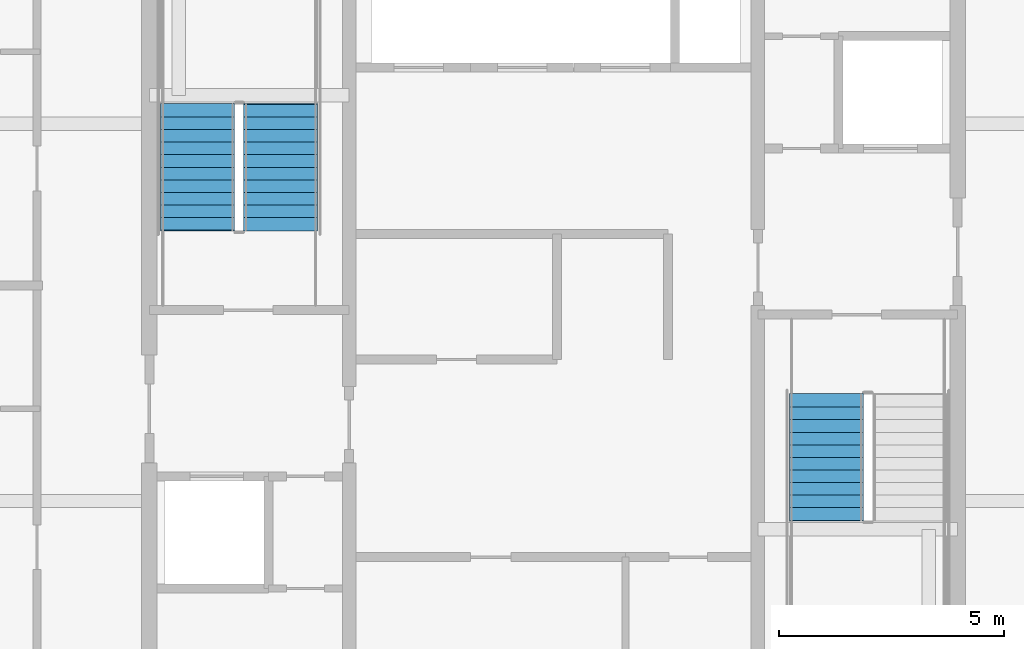
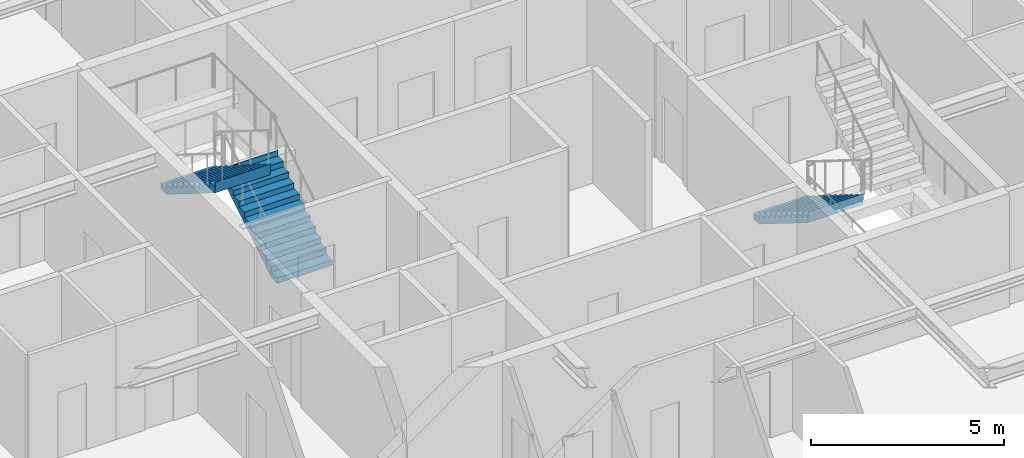
# One storey, part 31 of 37: 3 stair flights, 2 elements without a shape of their own.
"""IFC4 building model written with IfcOpenShell, lengths in metres."""

from ifc_helpers import new_model, si_unit, direction, frame, origin, place, context, subcontext, project, spatial, polygons, material, type_object, element, aggregate, save


model = new_model("IFC4")

# Units and contexts
model_context = context("Model", 3, precision=1e-05, world=origin(), true_north=direction((0.0, 1.0)))
body_context = subcontext(model_context, "Body", "Model", "MODEL_VIEW")
ifc_project = project(units=[si_unit("LENGTHUNIT", "METRE"), si_unit("AREAUNIT", "SQUARE_METRE"), si_unit("VOLUMEUNIT", "CUBIC_METRE"), si_unit("PLANEANGLEUNIT", "RADIAN"), si_unit("MASSUNIT", "GRAM", prefix="KILO")], contexts=[model_context])

# Site, building, storey
site_placement = place(None, origin())
site = spatial("IfcSite", under=ifc_project, at=site_placement, CompositionType="ELEMENT")
building_placement = place(site_placement, origin())
building = spatial("IfcBuilding", under=site, at=building_placement, Name="Serunith Strait Residences", CompositionType="ELEMENT")
storey_placement = place(building_placement, frame((0.0, 0.0, 233.550048828125)))
storey = spatial("IfcBuildingStorey", under=building, at=storey_placement, Name="L58", CompositionType="ELEMENT", Elevation=233.550048828125)

# Stair, stair flights
ifc_material = material(Name="Concrete C50/60", Category="concrete")
stair_type_1 = type_object("IfcStairType", Name="STR-CORE-1", PredefinedType="HALF_TURN_STAIR", material=ifc_material)
stair_1_placement = place(storey_placement, origin())
stair_1 = element("IfcStair", 1, at=stair_1_placement, inside=storey, type_object=stair_type_1, Name="L58 Protected Escape Stair ST-1", PredefinedType="HALF_TURN_STAIR")
stair_flight_type_1 = type_object("IfcStairFlightType", Name="FLT-CORE-1", PredefinedType="STRAIGHT", material=ifc_material)
stair_flight_1_placement = place(storey_placement, frame((26.324951171875, 27.030029296875, 0.0), z_axis=(0.0, 0.0, 1.0), x_axis=(0.0, 1.0, 0.0)))
stair_flight_1 = element("IfcStairFlight", 2, at=stair_flight_1_placement, type_object=stair_flight_type_1, Name="ST-1 flight 1", NumberOfRisers=11, NumberOfTreads=10, PredefinedType="STRAIGHT", RiserHeight=0.175, TreadLength=0.28, context=body_context, shape_type="Tessellation", body=[
    polygons([(-0.02001953125, -0.824951171875, 0.0), (-0.02001953125, -0.824951171875, 0.175048828125), (0.280029296875, -0.824951171875, 0.175048828125), (0.280029296875, -0.824951171875, 0.35009765625), (0.56005859375, -0.824951171875, 0.35009765625), (0.56005859375, -0.824951171875, 0.52490234375), (0.840087890625, -0.824951171875, 0.52490234375), (0.840087890625, -0.824951171875, 0.699951171875), (1.1201171875, -0.824951171875, 0.699951171875), (1.1201171875, -0.824951171875, 0.875), (1.39990234375, -0.824951171875, 0.875), (1.39990234375, -0.824951171875, 1.050048828125), (1.679931640625, -0.824951171875, 1.050048828125), (1.679931640625, -0.824951171875, 1.22509765625), (1.9599609375, -0.824951171875, 1.22509765625), (1.9599609375, -0.824951171875, 1.39990234375), (2.239990234375, -0.824951171875, 1.39990234375), (2.239990234375, -0.824951171875, 1.574951171875), (2.52001953125, -0.824951171875, 1.574951171875), (2.52001953125, -0.824951171875, 1.75), (2.800048828125, -0.824951171875, 1.75), (2.800048828125, -0.824951171875, 1.925048828125), (2.820068359375, -0.824951171875, 1.925048828125), (2.820068359375, -0.824951171875, 1.864990234375), (2.800048828125, -0.824951171875, 1.5732421875), (0.28271484375, -0.824951171875, 0.0), (-0.02001953125, -0.41259765625, 0.0), (-0.02001953125, -0.41259765625, 0.175048828125), (0.280029296875, -0.41259765625, 0.175048828125), (0.280029296875, -0.41259765625, 0.35009765625), (0.56005859375, -0.41259765625, 0.35009765625), (0.56005859375, -0.41259765625, 0.52490234375), (0.840087890625, -0.41259765625, 0.52490234375), (0.840087890625, -0.41259765625, 0.699951171875), (1.1201171875, -0.41259765625, 0.699951171875), (1.1201171875, -0.41259765625, 0.875), (1.39990234375, -0.41259765625, 0.875), (1.39990234375, -0.41259765625, 1.050048828125), (1.679931640625, -0.41259765625, 1.050048828125), (1.679931640625, -0.41259765625, 1.22509765625), (1.9599609375, -0.41259765625, 1.22509765625), (1.9599609375, -0.41259765625, 1.39990234375), (2.239990234375, -0.41259765625, 1.39990234375), (2.239990234375, -0.41259765625, 1.574951171875), (2.52001953125, -0.41259765625, 1.574951171875), (2.52001953125, -0.41259765625, 1.75), (2.800048828125, -0.41259765625, 1.75), (2.800048828125, -0.41259765625, 1.925048828125), (2.820068359375, -0.41259765625, 1.925048828125), (2.820068359375, -0.41259765625, 1.864990234375), (2.800048828125, -0.41259765625, 1.5732421875), (0.28271484375, -0.41259765625, 0.0), (-0.02001953125, 0.0, 0.0), (-0.02001953125, 0.0, 0.175048828125), (0.280029296875, 0.0, 0.175048828125), (0.280029296875, 0.0, 0.35009765625), (0.56005859375, 0.0, 0.35009765625), (0.56005859375, 0.0, 0.52490234375), (0.840087890625, 0.0, 0.52490234375), (0.840087890625, 0.0, 0.699951171875), (1.1201171875, 0.0, 0.699951171875), (1.1201171875, 0.0, 0.875), (1.39990234375, 0.0, 0.875), (1.39990234375, 0.0, 1.050048828125), (1.679931640625, 0.0, 1.050048828125), (1.679931640625, 0.0, 1.22509765625), (1.9599609375, 0.0, 1.22509765625), (1.9599609375, 0.0, 1.39990234375), (2.239990234375, 0.0, 1.39990234375), (2.239990234375, 0.0, 1.574951171875), (2.52001953125, 0.0, 1.574951171875), (2.52001953125, 0.0, 1.75), (2.800048828125, 0.0, 1.75), (2.800048828125, 0.0, 1.925048828125), (2.820068359375, 0.0, 1.925048828125), (2.820068359375, 0.0, 1.864990234375), (2.800048828125, 0.0, 1.5732421875), (0.28271484375, 0.0, 0.0), (-0.02001953125, 0.41259765625, 0.0), (-0.02001953125, 0.41259765625, 0.175048828125), (0.280029296875, 0.41259765625, 0.175048828125), (0.280029296875, 0.41259765625, 0.35009765625), (0.56005859375, 0.41259765625, 0.35009765625), (0.56005859375, 0.41259765625, 0.52490234375), (0.840087890625, 0.41259765625, 0.52490234375), (0.840087890625, 0.41259765625, 0.699951171875), (1.1201171875, 0.41259765625, 0.699951171875), (1.1201171875, 0.41259765625, 0.875), (1.39990234375, 0.41259765625, 0.875), (1.39990234375, 0.41259765625, 1.050048828125), (1.679931640625, 0.41259765625, 1.050048828125), (1.679931640625, 0.41259765625, 1.22509765625), (1.9599609375, 0.41259765625, 1.22509765625), (1.9599609375, 0.41259765625, 1.39990234375), (2.239990234375, 0.41259765625, 1.39990234375), (2.239990234375, 0.41259765625, 1.574951171875), (2.52001953125, 0.41259765625, 1.574951171875), (2.52001953125, 0.41259765625, 1.75), (2.800048828125, 0.41259765625, 1.75), (2.800048828125, 0.41259765625, 1.925048828125), (2.820068359375, 0.41259765625, 1.925048828125), (2.820068359375, 0.41259765625, 1.864990234375), (2.800048828125, 0.41259765625, 1.5732421875), (0.28271484375, 0.41259765625, 0.0), (-0.02001953125, 0.824951171875, 0.0), (-0.02001953125, 0.824951171875, 0.175048828125), (0.280029296875, 0.824951171875, 0.175048828125), (0.280029296875, 0.824951171875, 0.35009765625), (0.56005859375, 0.824951171875, 0.35009765625), (0.56005859375, 0.824951171875, 0.52490234375), (0.840087890625, 0.824951171875, 0.52490234375), (0.840087890625, 0.824951171875, 0.699951171875), (1.1201171875, 0.824951171875, 0.699951171875), (1.1201171875, 0.824951171875, 0.875), (1.39990234375, 0.824951171875, 0.875), (1.39990234375, 0.824951171875, 1.050048828125), (1.679931640625, 0.824951171875, 1.050048828125), (1.679931640625, 0.824951171875, 1.22509765625), (1.9599609375, 0.824951171875, 1.22509765625), (1.9599609375, 0.824951171875, 1.39990234375), (2.239990234375, 0.824951171875, 1.39990234375), (2.239990234375, 0.824951171875, 1.574951171875), (2.52001953125, 0.824951171875, 1.574951171875), (2.52001953125, 0.824951171875, 1.75), (2.800048828125, 0.824951171875, 1.75), (2.800048828125, 0.824951171875, 1.925048828125), (2.820068359375, 0.824951171875, 1.925048828125), (2.820068359375, 0.824951171875, 1.864990234375), (2.800048828125, 0.824951171875, 1.5732421875), (0.28271484375, 0.824951171875, 0.0)], [[[1, 2, 28, 27]], [[2, 3, 29, 28]], [[3, 4, 30, 29]], [[4, 5, 31, 30]], [[5, 6, 32, 31]], [[6, 7, 33, 32]], [[7, 8, 34, 33]], [[8, 9, 35, 34]], [[9, 10, 36, 35]], [[10, 11, 37, 36]], [[11, 12, 38, 37]], [[12, 13, 39, 38]], [[13, 14, 40, 39]], [[14, 15, 41, 40]], [[15, 16, 42, 41]], [[16, 17, 43, 42]], [[17, 18, 44, 43]], [[18, 19, 45, 44]], [[19, 20, 46, 45]], [[20, 21, 47, 46]], [[21, 22, 48, 47]], [[22, 23, 49, 48]], [[23, 24, 50, 49]], [[24, 25, 51, 50]], [[25, 26, 52, 51]], [[26, 1, 27, 52]], [[27, 28, 54, 53]], [[28, 29, 55, 54]], [[29, 30, 56, 55]], [[30, 31, 57, 56]], [[31, 32, 58, 57]], [[32, 33, 59, 58]], [[33, 34, 60, 59]], [[34, 35, 61, 60]], [[35, 36, 62, 61]], [[36, 37, 63, 62]], [[37, 38, 64, 63]], [[38, 39, 65, 64]], [[39, 40, 66, 65]], [[40, 41, 67, 66]], [[41, 42, 68, 67]], [[42, 43, 69, 68]], [[43, 44, 70, 69]], [[44, 45, 71, 70]], [[45, 46, 72, 71]], [[46, 47, 73, 72]], [[47, 48, 74, 73]], [[48, 49, 75, 74]], [[49, 50, 76, 75]], [[50, 51, 77, 76]], [[51, 52, 78, 77]], [[52, 27, 53, 78]], [[53, 54, 80, 79]], [[54, 55, 81, 80]], [[55, 56, 82, 81]], [[56, 57, 83, 82]], [[57, 58, 84, 83]], [[58, 59, 85, 84]], [[59, 60, 86, 85]], [[60, 61, 87, 86]], [[61, 62, 88, 87]], [[62, 63, 89, 88]], [[63, 64, 90, 89]], [[64, 65, 91, 90]], [[65, 66, 92, 91]], [[66, 67, 93, 92]], [[67, 68, 94, 93]], [[68, 69, 95, 94]], [[69, 70, 96, 95]], [[70, 71, 97, 96]], [[71, 72, 98, 97]], [[72, 73, 99, 98]], [[73, 74, 100, 99]], [[74, 75, 101, 100]], [[75, 76, 102, 101]], [[76, 77, 103, 102]], [[77, 78, 104, 103]], [[78, 53, 79, 104]], [[79, 80, 106, 105]], [[80, 81, 107, 106]], [[81, 82, 108, 107]], [[82, 83, 109, 108]], [[83, 84, 110, 109]], [[84, 85, 111, 110]], [[85, 86, 112, 111]], [[86, 87, 113, 112]], [[87, 88, 114, 113]], [[88, 89, 115, 114]], [[89, 90, 116, 115]], [[90, 91, 117, 116]], [[91, 92, 118, 117]], [[92, 93, 119, 118]], [[93, 94, 120, 119]], [[94, 95, 121, 120]], [[95, 96, 122, 121]], [[96, 97, 123, 122]], [[97, 98, 124, 123]], [[98, 99, 125, 124]], [[99, 100, 126, 125]], [[100, 101, 127, 126]], [[101, 102, 128, 127]], [[102, 103, 129, 128]], [[103, 104, 130, 129]], [[104, 79, 105, 130]], [[26, 25, 24, 23, 22, 21, 20, 19, 18, 17, 16, 15, 14, 13, 12, 11, 10, 9, 8, 7, 6, 5, 4, 3, 2, 1]], [[105, 106, 107, 108, 109, 110, 111, 112, 113, 114, 115, 116, 117, 118, 119, 120, 121, 122, 123, 124, 125, 126, 127, 128, 129, 130]]], closed=True),
])
stair_flight_2_placement = place(storey_placement, frame((24.47509765625, 29.830078125, 1.925048828125), z_axis=(0.0, 0.0, 1.0), x_axis=(0.0, -1.0, 0.0)))
stair_flight_2 = element("IfcStairFlight", 3, at=stair_flight_2_placement, type_object=stair_flight_type_1, Name="ST-1 flight 2", NumberOfRisers=11, NumberOfTreads=10, PredefinedType="STRAIGHT", RiserHeight=0.175, TreadLength=0.28, context=body_context, shape_type="Tessellation", body=[
    polygons([(-0.02001953125, -0.824951171875, 0.0), (-0.02001953125, -0.824951171875, 0.175048828125), (0.280029296875, -0.824951171875, 0.175048828125), (0.280029296875, -0.824951171875, 0.35009765625), (0.56005859375, -0.824951171875, 0.35009765625), (0.56005859375, -0.824951171875, 0.52490234375), (0.840087890625, -0.824951171875, 0.52490234375), (0.840087890625, -0.824951171875, 0.699951171875), (1.1201171875, -0.824951171875, 0.699951171875), (1.1201171875, -0.824951171875, 0.875), (1.39990234375, -0.824951171875, 0.875), (1.39990234375, -0.824951171875, 1.050048828125), (1.679931640625, -0.824951171875, 1.050048828125), (1.679931640625, -0.824951171875, 1.22509765625), (1.9599609375, -0.824951171875, 1.22509765625), (1.9599609375, -0.824951171875, 1.39990234375), (2.239990234375, -0.824951171875, 1.39990234375), (2.239990234375, -0.824951171875, 1.574951171875), (2.52001953125, -0.824951171875, 1.574951171875), (2.52001953125, -0.824951171875, 1.75), (2.800048828125, -0.824951171875, 1.75), (2.800048828125, -0.824951171875, 1.925048828125), (2.820068359375, -0.824951171875, 1.925048828125), (2.820068359375, -0.824951171875, 1.864990234375), (2.800048828125, -0.824951171875, 1.5732421875), (0.28271484375, -0.824951171875, 0.0), (-0.02001953125, -0.41259765625, 0.0), (-0.02001953125, -0.41259765625, 0.175048828125), (0.280029296875, -0.41259765625, 0.175048828125), (0.280029296875, -0.41259765625, 0.35009765625), (0.56005859375, -0.41259765625, 0.35009765625), (0.56005859375, -0.41259765625, 0.52490234375), (0.840087890625, -0.41259765625, 0.52490234375), (0.840087890625, -0.41259765625, 0.699951171875), (1.1201171875, -0.41259765625, 0.699951171875), (1.1201171875, -0.41259765625, 0.875), (1.39990234375, -0.41259765625, 0.875), (1.39990234375, -0.41259765625, 1.050048828125), (1.679931640625, -0.41259765625, 1.050048828125), (1.679931640625, -0.41259765625, 1.22509765625), (1.9599609375, -0.41259765625, 1.22509765625), (1.9599609375, -0.41259765625, 1.39990234375), (2.239990234375, -0.41259765625, 1.39990234375), (2.239990234375, -0.41259765625, 1.574951171875), (2.52001953125, -0.41259765625, 1.574951171875), (2.52001953125, -0.41259765625, 1.75), (2.800048828125, -0.41259765625, 1.75), (2.800048828125, -0.41259765625, 1.925048828125), (2.820068359375, -0.41259765625, 1.925048828125), (2.820068359375, -0.41259765625, 1.864990234375), (2.800048828125, -0.41259765625, 1.5732421875), (0.28271484375, -0.41259765625, 0.0), (-0.02001953125, 0.0, 0.0), (-0.02001953125, 0.0, 0.175048828125), (0.280029296875, 0.0, 0.175048828125), (0.280029296875, 0.0, 0.35009765625), (0.56005859375, 0.0, 0.35009765625), (0.56005859375, 0.0, 0.52490234375), (0.840087890625, 0.0, 0.52490234375), (0.840087890625, 0.0, 0.699951171875), (1.1201171875, 0.0, 0.699951171875), (1.1201171875, 0.0, 0.875), (1.39990234375, 0.0, 0.875), (1.39990234375, 0.0, 1.050048828125), (1.679931640625, 0.0, 1.050048828125), (1.679931640625, 0.0, 1.22509765625), (1.9599609375, 0.0, 1.22509765625), (1.9599609375, 0.0, 1.39990234375), (2.239990234375, 0.0, 1.39990234375), (2.239990234375, 0.0, 1.574951171875), (2.52001953125, 0.0, 1.574951171875), (2.52001953125, 0.0, 1.75), (2.800048828125, 0.0, 1.75), (2.800048828125, 0.0, 1.925048828125), (2.820068359375, 0.0, 1.925048828125), (2.820068359375, 0.0, 1.864990234375), (2.800048828125, 0.0, 1.5732421875), (0.28271484375, 0.0, 0.0), (-0.02001953125, 0.41259765625, 0.0), (-0.02001953125, 0.41259765625, 0.175048828125), (0.280029296875, 0.41259765625, 0.175048828125), (0.280029296875, 0.41259765625, 0.35009765625), (0.56005859375, 0.41259765625, 0.35009765625), (0.56005859375, 0.41259765625, 0.52490234375), (0.840087890625, 0.41259765625, 0.52490234375), (0.840087890625, 0.41259765625, 0.699951171875), (1.1201171875, 0.41259765625, 0.699951171875), (1.1201171875, 0.41259765625, 0.875), (1.39990234375, 0.41259765625, 0.875), (1.39990234375, 0.41259765625, 1.050048828125), (1.679931640625, 0.41259765625, 1.050048828125), (1.679931640625, 0.41259765625, 1.22509765625), (1.9599609375, 0.41259765625, 1.22509765625), (1.9599609375, 0.41259765625, 1.39990234375), (2.239990234375, 0.41259765625, 1.39990234375), (2.239990234375, 0.41259765625, 1.574951171875), (2.52001953125, 0.41259765625, 1.574951171875), (2.52001953125, 0.41259765625, 1.75), (2.800048828125, 0.41259765625, 1.75), (2.800048828125, 0.41259765625, 1.925048828125), (2.820068359375, 0.41259765625, 1.925048828125), (2.820068359375, 0.41259765625, 1.864990234375), (2.800048828125, 0.41259765625, 1.5732421875), (0.28271484375, 0.41259765625, 0.0), (-0.02001953125, 0.824951171875, 0.0), (-0.02001953125, 0.824951171875, 0.175048828125), (0.280029296875, 0.824951171875, 0.175048828125), (0.280029296875, 0.824951171875, 0.35009765625), (0.56005859375, 0.824951171875, 0.35009765625), (0.56005859375, 0.824951171875, 0.52490234375), (0.840087890625, 0.824951171875, 0.52490234375), (0.840087890625, 0.824951171875, 0.699951171875), (1.1201171875, 0.824951171875, 0.699951171875), (1.1201171875, 0.824951171875, 0.875), (1.39990234375, 0.824951171875, 0.875), (1.39990234375, 0.824951171875, 1.050048828125), (1.679931640625, 0.824951171875, 1.050048828125), (1.679931640625, 0.824951171875, 1.22509765625), (1.9599609375, 0.824951171875, 1.22509765625), (1.9599609375, 0.824951171875, 1.39990234375), (2.239990234375, 0.824951171875, 1.39990234375), (2.239990234375, 0.824951171875, 1.574951171875), (2.52001953125, 0.824951171875, 1.574951171875), (2.52001953125, 0.824951171875, 1.75), (2.800048828125, 0.824951171875, 1.75), (2.800048828125, 0.824951171875, 1.925048828125), (2.820068359375, 0.824951171875, 1.925048828125), (2.820068359375, 0.824951171875, 1.864990234375), (2.800048828125, 0.824951171875, 1.5732421875), (0.28271484375, 0.824951171875, 0.0)], [[[1, 2, 28, 27]], [[2, 3, 29, 28]], [[3, 4, 30, 29]], [[4, 5, 31, 30]], [[5, 6, 32, 31]], [[6, 7, 33, 32]], [[7, 8, 34, 33]], [[8, 9, 35, 34]], [[9, 10, 36, 35]], [[10, 11, 37, 36]], [[11, 12, 38, 37]], [[12, 13, 39, 38]], [[13, 14, 40, 39]], [[14, 15, 41, 40]], [[15, 16, 42, 41]], [[16, 17, 43, 42]], [[17, 18, 44, 43]], [[18, 19, 45, 44]], [[19, 20, 46, 45]], [[20, 21, 47, 46]], [[21, 22, 48, 47]], [[22, 23, 49, 48]], [[23, 24, 50, 49]], [[24, 25, 51, 50]], [[25, 26, 52, 51]], [[26, 1, 27, 52]], [[27, 28, 54, 53]], [[28, 29, 55, 54]], [[29, 30, 56, 55]], [[30, 31, 57, 56]], [[31, 32, 58, 57]], [[32, 33, 59, 58]], [[33, 34, 60, 59]], [[34, 35, 61, 60]], [[35, 36, 62, 61]], [[36, 37, 63, 62]], [[37, 38, 64, 63]], [[38, 39, 65, 64]], [[39, 40, 66, 65]], [[40, 41, 67, 66]], [[41, 42, 68, 67]], [[42, 43, 69, 68]], [[43, 44, 70, 69]], [[44, 45, 71, 70]], [[45, 46, 72, 71]], [[46, 47, 73, 72]], [[47, 48, 74, 73]], [[48, 49, 75, 74]], [[49, 50, 76, 75]], [[50, 51, 77, 76]], [[51, 52, 78, 77]], [[52, 27, 53, 78]], [[53, 54, 80, 79]], [[54, 55, 81, 80]], [[55, 56, 82, 81]], [[56, 57, 83, 82]], [[57, 58, 84, 83]], [[58, 59, 85, 84]], [[59, 60, 86, 85]], [[60, 61, 87, 86]], [[61, 62, 88, 87]], [[62, 63, 89, 88]], [[63, 64, 90, 89]], [[64, 65, 91, 90]], [[65, 66, 92, 91]], [[66, 67, 93, 92]], [[67, 68, 94, 93]], [[68, 69, 95, 94]], [[69, 70, 96, 95]], [[70, 71, 97, 96]], [[71, 72, 98, 97]], [[72, 73, 99, 98]], [[73, 74, 100, 99]], [[74, 75, 101, 100]], [[75, 76, 102, 101]], [[76, 77, 103, 102]], [[77, 78, 104, 103]], [[78, 53, 79, 104]], [[79, 80, 106, 105]], [[80, 81, 107, 106]], [[81, 82, 108, 107]], [[82, 83, 109, 108]], [[83, 84, 110, 109]], [[84, 85, 111, 110]], [[85, 86, 112, 111]], [[86, 87, 113, 112]], [[87, 88, 114, 113]], [[88, 89, 115, 114]], [[89, 90, 116, 115]], [[90, 91, 117, 116]], [[91, 92, 118, 117]], [[92, 93, 119, 118]], [[93, 94, 120, 119]], [[94, 95, 121, 120]], [[95, 96, 122, 121]], [[96, 97, 123, 122]], [[97, 98, 124, 123]], [[98, 99, 125, 124]], [[99, 100, 126, 125]], [[100, 101, 127, 126]], [[101, 102, 128, 127]], [[102, 103, 129, 128]], [[103, 104, 130, 129]], [[104, 79, 105, 130]], [[26, 25, 24, 23, 22, 21, 20, 19, 18, 17, 16, 15, 14, 13, 12, 11, 10, 9, 8, 7, 6, 5, 4, 3, 2, 1]], [[105, 106, 107, 108, 109, 110, 111, 112, 113, 114, 115, 116, 117, 118, 119, 120, 121, 122, 123, 124, 125, 126, 127, 128, 129, 130]]], closed=True),
])
aggregate(stair_1, [stair_flight_1, stair_flight_2])

# Stair, stair flight
stair_type_2 = type_object("IfcStairType", Name="STR-CORE-2", PredefinedType="HALF_TURN_STAIR", material=ifc_material)
stair_2_placement = place(storey_placement, origin())
stair_2 = element("IfcStair", 4, at=stair_2_placement, inside=storey, type_object=stair_type_2, Name="L58 Protected Escape Stair ST-2", PredefinedType="HALF_TURN_STAIR")
stair_flight_type_2 = type_object("IfcStairFlightType", Name="FLT-CORE-2", PredefinedType="STRAIGHT", material=ifc_material)
stair_flight_3_placement = place(storey_placement, frame((38.47509765625, 23.3701171875, 0.0), z_axis=(0.0, 0.0, 1.0), x_axis=(0.0, -1.0, 0.0)))
stair_flight_3 = element("IfcStairFlight", 5, at=stair_flight_3_placement, type_object=stair_flight_type_2, Name="ST-2 flight 1", NumberOfRisers=11, NumberOfTreads=10, PredefinedType="STRAIGHT", RiserHeight=0.175, TreadLength=0.28, context=body_context, shape_type="Tessellation", body=[
    polygons([(-0.02001953125, -0.824951171875, 0.0), (-0.02001953125, -0.824951171875, 0.175048828125), (0.280029296875, -0.824951171875, 0.175048828125), (0.280029296875, -0.824951171875, 0.35009765625), (0.56005859375, -0.824951171875, 0.35009765625), (0.56005859375, -0.824951171875, 0.52490234375), (0.840087890625, -0.824951171875, 0.52490234375), (0.840087890625, -0.824951171875, 0.699951171875), (1.1201171875, -0.824951171875, 0.699951171875), (1.1201171875, -0.824951171875, 0.875), (1.39990234375, -0.824951171875, 0.875), (1.39990234375, -0.824951171875, 1.050048828125), (1.679931640625, -0.824951171875, 1.050048828125), (1.679931640625, -0.824951171875, 1.22509765625), (1.9599609375, -0.824951171875, 1.22509765625), (1.9599609375, -0.824951171875, 1.39990234375), (2.239990234375, -0.824951171875, 1.39990234375), (2.239990234375, -0.824951171875, 1.574951171875), (2.52001953125, -0.824951171875, 1.574951171875), (2.52001953125, -0.824951171875, 1.75), (2.800048828125, -0.824951171875, 1.75), (2.800048828125, -0.824951171875, 1.925048828125), (2.820068359375, -0.824951171875, 1.925048828125), (2.820068359375, -0.824951171875, 1.864990234375), (2.800048828125, -0.824951171875, 1.5732421875), (0.28271484375, -0.824951171875, 0.0), (-0.02001953125, -0.41259765625, 0.0), (-0.02001953125, -0.41259765625, 0.175048828125), (0.280029296875, -0.41259765625, 0.175048828125), (0.280029296875, -0.41259765625, 0.35009765625), (0.56005859375, -0.41259765625, 0.35009765625), (0.56005859375, -0.41259765625, 0.52490234375), (0.840087890625, -0.41259765625, 0.52490234375), (0.840087890625, -0.41259765625, 0.699951171875), (1.1201171875, -0.41259765625, 0.699951171875), (1.1201171875, -0.41259765625, 0.875), (1.39990234375, -0.41259765625, 0.875), (1.39990234375, -0.41259765625, 1.050048828125), (1.679931640625, -0.41259765625, 1.050048828125), (1.679931640625, -0.41259765625, 1.22509765625), (1.9599609375, -0.41259765625, 1.22509765625), (1.9599609375, -0.41259765625, 1.39990234375), (2.239990234375, -0.41259765625, 1.39990234375), (2.239990234375, -0.41259765625, 1.574951171875), (2.52001953125, -0.41259765625, 1.574951171875), (2.52001953125, -0.41259765625, 1.75), (2.800048828125, -0.41259765625, 1.75), (2.800048828125, -0.41259765625, 1.925048828125), (2.820068359375, -0.41259765625, 1.925048828125), (2.820068359375, -0.41259765625, 1.864990234375), (2.800048828125, -0.41259765625, 1.5732421875), (0.28271484375, -0.41259765625, 0.0), (-0.02001953125, 0.0, 0.0), (-0.02001953125, 0.0, 0.175048828125), (0.280029296875, 0.0, 0.175048828125), (0.280029296875, 0.0, 0.35009765625), (0.56005859375, 0.0, 0.35009765625), (0.56005859375, 0.0, 0.52490234375), (0.840087890625, 0.0, 0.52490234375), (0.840087890625, 0.0, 0.699951171875), (1.1201171875, 0.0, 0.699951171875), (1.1201171875, 0.0, 0.875), (1.39990234375, 0.0, 0.875), (1.39990234375, 0.0, 1.050048828125), (1.679931640625, 0.0, 1.050048828125), (1.679931640625, 0.0, 1.22509765625), (1.9599609375, 0.0, 1.22509765625), (1.9599609375, 0.0, 1.39990234375), (2.239990234375, 0.0, 1.39990234375), (2.239990234375, 0.0, 1.574951171875), (2.52001953125, 0.0, 1.574951171875), (2.52001953125, 0.0, 1.75), (2.800048828125, 0.0, 1.75), (2.800048828125, 0.0, 1.925048828125), (2.820068359375, 0.0, 1.925048828125), (2.820068359375, 0.0, 1.864990234375), (2.800048828125, 0.0, 1.5732421875), (0.28271484375, 0.0, 0.0), (-0.02001953125, 0.41259765625, 0.0), (-0.02001953125, 0.41259765625, 0.175048828125), (0.280029296875, 0.41259765625, 0.175048828125), (0.280029296875, 0.41259765625, 0.35009765625), (0.56005859375, 0.41259765625, 0.35009765625), (0.56005859375, 0.41259765625, 0.52490234375), (0.840087890625, 0.41259765625, 0.52490234375), (0.840087890625, 0.41259765625, 0.699951171875), (1.1201171875, 0.41259765625, 0.699951171875), (1.1201171875, 0.41259765625, 0.875), (1.39990234375, 0.41259765625, 0.875), (1.39990234375, 0.41259765625, 1.050048828125), (1.679931640625, 0.41259765625, 1.050048828125), (1.679931640625, 0.41259765625, 1.22509765625), (1.9599609375, 0.41259765625, 1.22509765625), (1.9599609375, 0.41259765625, 1.39990234375), (2.239990234375, 0.41259765625, 1.39990234375), (2.239990234375, 0.41259765625, 1.574951171875), (2.52001953125, 0.41259765625, 1.574951171875), (2.52001953125, 0.41259765625, 1.75), (2.800048828125, 0.41259765625, 1.75), (2.800048828125, 0.41259765625, 1.925048828125), (2.820068359375, 0.41259765625, 1.925048828125), (2.820068359375, 0.41259765625, 1.864990234375), (2.800048828125, 0.41259765625, 1.5732421875), (0.28271484375, 0.41259765625, 0.0), (-0.02001953125, 0.824951171875, 0.0), (-0.02001953125, 0.824951171875, 0.175048828125), (0.280029296875, 0.824951171875, 0.175048828125), (0.280029296875, 0.824951171875, 0.35009765625), (0.56005859375, 0.824951171875, 0.35009765625), (0.56005859375, 0.824951171875, 0.52490234375), (0.840087890625, 0.824951171875, 0.52490234375), (0.840087890625, 0.824951171875, 0.699951171875), (1.1201171875, 0.824951171875, 0.699951171875), (1.1201171875, 0.824951171875, 0.875), (1.39990234375, 0.824951171875, 0.875), (1.39990234375, 0.824951171875, 1.050048828125), (1.679931640625, 0.824951171875, 1.050048828125), (1.679931640625, 0.824951171875, 1.22509765625), (1.9599609375, 0.824951171875, 1.22509765625), (1.9599609375, 0.824951171875, 1.39990234375), (2.239990234375, 0.824951171875, 1.39990234375), (2.239990234375, 0.824951171875, 1.574951171875), (2.52001953125, 0.824951171875, 1.574951171875), (2.52001953125, 0.824951171875, 1.75), (2.800048828125, 0.824951171875, 1.75), (2.800048828125, 0.824951171875, 1.925048828125), (2.820068359375, 0.824951171875, 1.925048828125), (2.820068359375, 0.824951171875, 1.864990234375), (2.800048828125, 0.824951171875, 1.5732421875), (0.28271484375, 0.824951171875, 0.0)], [[[1, 2, 28, 27]], [[2, 3, 29, 28]], [[3, 4, 30, 29]], [[4, 5, 31, 30]], [[5, 6, 32, 31]], [[6, 7, 33, 32]], [[7, 8, 34, 33]], [[8, 9, 35, 34]], [[9, 10, 36, 35]], [[10, 11, 37, 36]], [[11, 12, 38, 37]], [[12, 13, 39, 38]], [[13, 14, 40, 39]], [[14, 15, 41, 40]], [[15, 16, 42, 41]], [[16, 17, 43, 42]], [[17, 18, 44, 43]], [[18, 19, 45, 44]], [[19, 20, 46, 45]], [[20, 21, 47, 46]], [[21, 22, 48, 47]], [[22, 23, 49, 48]], [[23, 24, 50, 49]], [[24, 25, 51, 50]], [[25, 26, 52, 51]], [[26, 1, 27, 52]], [[27, 28, 54, 53]], [[28, 29, 55, 54]], [[29, 30, 56, 55]], [[30, 31, 57, 56]], [[31, 32, 58, 57]], [[32, 33, 59, 58]], [[33, 34, 60, 59]], [[34, 35, 61, 60]], [[35, 36, 62, 61]], [[36, 37, 63, 62]], [[37, 38, 64, 63]], [[38, 39, 65, 64]], [[39, 40, 66, 65]], [[40, 41, 67, 66]], [[41, 42, 68, 67]], [[42, 43, 69, 68]], [[43, 44, 70, 69]], [[44, 45, 71, 70]], [[45, 46, 72, 71]], [[46, 47, 73, 72]], [[47, 48, 74, 73]], [[48, 49, 75, 74]], [[49, 50, 76, 75]], [[50, 51, 77, 76]], [[51, 52, 78, 77]], [[52, 27, 53, 78]], [[53, 54, 80, 79]], [[54, 55, 81, 80]], [[55, 56, 82, 81]], [[56, 57, 83, 82]], [[57, 58, 84, 83]], [[58, 59, 85, 84]], [[59, 60, 86, 85]], [[60, 61, 87, 86]], [[61, 62, 88, 87]], [[62, 63, 89, 88]], [[63, 64, 90, 89]], [[64, 65, 91, 90]], [[65, 66, 92, 91]], [[66, 67, 93, 92]], [[67, 68, 94, 93]], [[68, 69, 95, 94]], [[69, 70, 96, 95]], [[70, 71, 97, 96]], [[71, 72, 98, 97]], [[72, 73, 99, 98]], [[73, 74, 100, 99]], [[74, 75, 101, 100]], [[75, 76, 102, 101]], [[76, 77, 103, 102]], [[77, 78, 104, 103]], [[78, 53, 79, 104]], [[79, 80, 106, 105]], [[80, 81, 107, 106]], [[81, 82, 108, 107]], [[82, 83, 109, 108]], [[83, 84, 110, 109]], [[84, 85, 111, 110]], [[85, 86, 112, 111]], [[86, 87, 113, 112]], [[87, 88, 114, 113]], [[88, 89, 115, 114]], [[89, 90, 116, 115]], [[90, 91, 117, 116]], [[91, 92, 118, 117]], [[92, 93, 119, 118]], [[93, 94, 120, 119]], [[94, 95, 121, 120]], [[95, 96, 122, 121]], [[96, 97, 123, 122]], [[97, 98, 124, 123]], [[98, 99, 125, 124]], [[99, 100, 126, 125]], [[100, 101, 127, 126]], [[101, 102, 128, 127]], [[102, 103, 129, 128]], [[103, 104, 130, 129]], [[104, 79, 105, 130]], [[26, 25, 24, 23, 22, 21, 20, 19, 18, 17, 16, 15, 14, 13, 12, 11, 10, 9, 8, 7, 6, 5, 4, 3, 2, 1]], [[105, 106, 107, 108, 109, 110, 111, 112, 113, 114, 115, 116, 117, 118, 119, 120, 121, 122, 123, 124, 125, 126, 127, 128, 129, 130]]], closed=True),
])
aggregate(stair_2, [stair_flight_3])

save(model, "model.ifc")
